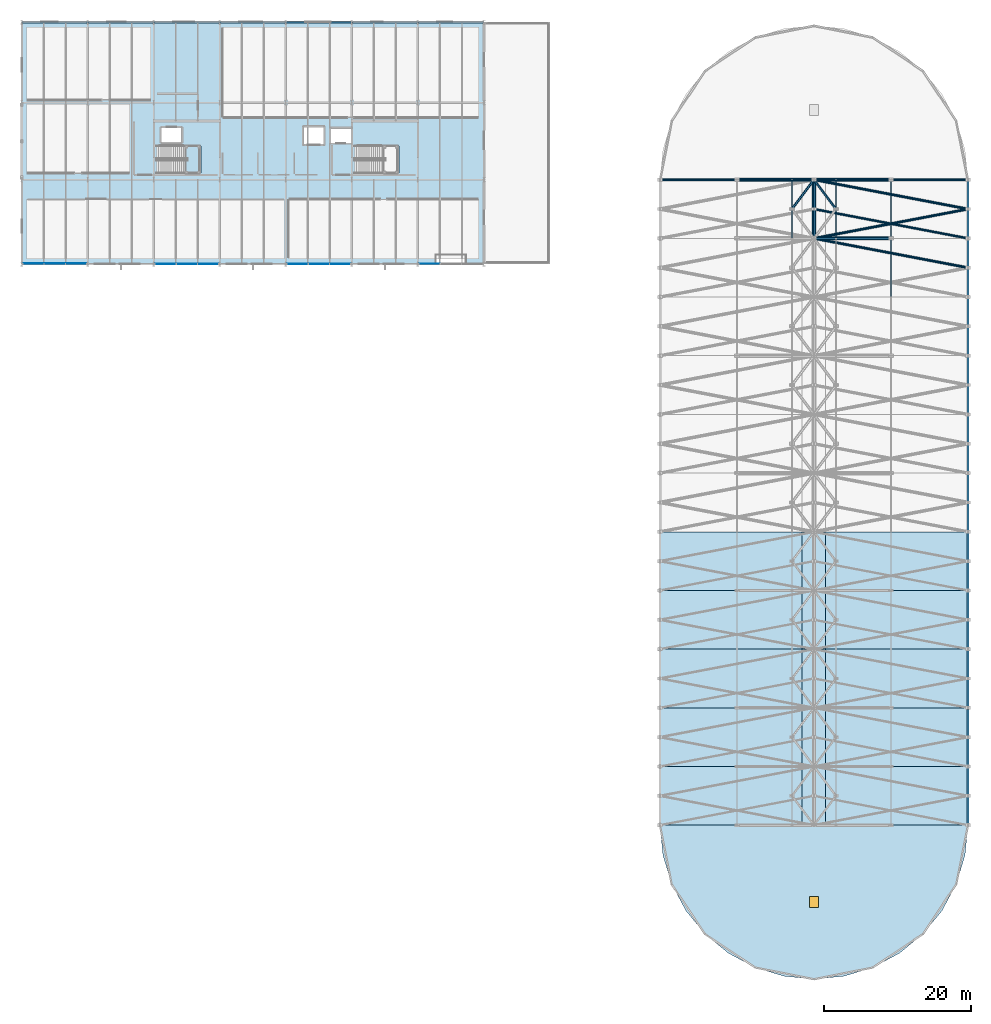
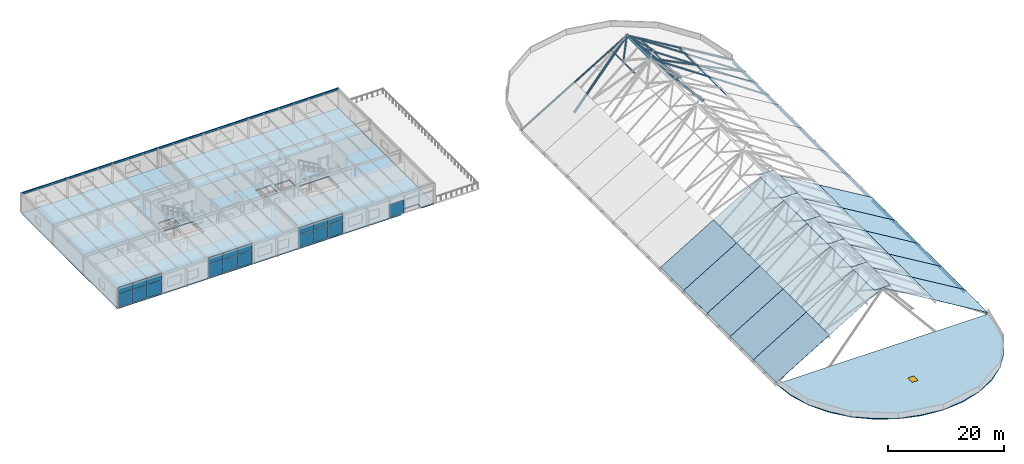
# One storey, part 14 of 44: 44 plates, 18 beams, 16 members, 3 slabs, 1 window, 1 opening, 5 elements without a shape of their own.
"""IFC4 building model written with IfcOpenShell, lengths in metres."""

from ifc_helpers import new_model, si_unit, direction, frame, origin, origin_2d, place, context, subcontext, project, spatial, polyline, rectangle, hollow_rectangle, hollow_circle, outline, extrude, material, layer, layer_set, material_profile, profile_set, type_object, element, fill, aggregate, save


model = new_model("IFC4")

# Units and contexts
model_context = context("Model", 3, precision=1e-05, world=origin(), true_north=direction((0.0, 1.0)))
body_context = subcontext(model_context, "Body", "Model", "MODEL_VIEW")
ifc_project = project(units=[si_unit("LENGTHUNIT", "METRE"), si_unit("AREAUNIT", "SQUARE_METRE"), si_unit("VOLUMEUNIT", "CUBIC_METRE"), si_unit("PLANEANGLEUNIT", "RADIAN"), si_unit("MASSUNIT", "GRAM", prefix="KILO")], contexts=[model_context])

# Site, building, storey
site_placement = place(None, origin())
site = spatial("IfcSite", under=ifc_project, at=site_placement, CompositionType="ELEMENT")
building_placement = place(site_placement, origin())
building = spatial("IfcBuilding", under=site, at=building_placement, Name="Marlcrest Central Station", CompositionType="ELEMENT")
storey_placement = place(building_placement, frame((0.0, 0.0, 19.5)))
storey = spatial("IfcBuildingStorey", under=building, at=storey_placement, Name="L04", CompositionType="ELEMENT", Elevation=19.5)

# Members
ifc_material_1 = material(Name="White intumescent Steel S355", Category="steel")
ifc_material_profile_1 = material_profile(ifc_material_1, hollow_circle(Radius=0.177734375, WallThickness=0.01611328125, at=origin_2d()), Name="CHS 355.6x16")
ifc_profile_set_1 = profile_set([ifc_material_profile_1], Name="White intumescent Steel S355")
member_type_1 = type_object("IfcMemberType", Name="FB-01", PredefinedType="RAFTER", material=ifc_profile_set_1)
for number, where, z_axis, x_axis, name in (
    (1, (108.0, 102.5, 12.60009765625), (0.846277296716, -0.161195675565, -0.507770313471), (0.18711210789, 0.982338566422, 0.0), "mem-FB-01-L04-02527"),
    (2, (108.0, 102.5, 12.60009765625), (0.846277296716, 0.161195675565, -0.507770313471), (-0.18711210789, 0.982338566422, 0.0), "mem-FB-01-L04-02541"),
    (3, (108.0, 110.5, 12.60009765625), (0.846277296716, -0.161195675565, -0.507770313471), (0.18711210789, 0.982338566422, 0.0), "mem-FB-01-L04-02542"),
):
    element("IfcMember", number, at=place(storey_placement, frame(where, z_axis=z_axis, x_axis=x_axis)), inside=storey, type_object=member_type_1, Name=name, PredefinedType="RAFTER", context=body_context, shape_type="SweptSolid", body=[
        extrude(hollow_circle(Radius=0.177734375, WallThickness=0.01611328125, at=origin_2d()), origin(), (0.0, 0.0, 1.0), 24.814453125),
    ])
ifc_material_profile_2 = material_profile(ifc_material_1, hollow_circle(Radius=0.161865234375, WallThickness=0.01611328125, at=origin_2d()), Name="CHS 323.9x16")
ifc_profile_set_2 = profile_set([ifc_material_profile_2], Name="White intumescent Steel S355")
member_type_2 = type_object("IfcMemberType", Name="FB-02", PredefinedType="RAFTER", material=ifc_profile_set_2)
for number, where, z_axis, x_axis, name in (
    (4, (108.0, 110.5, 12.60009765625), (-0.564530690126, -0.752707586834, -0.338727602401), (0.8, -0.6, 0.0), "mem-FB-02-L04-02533"),
    (5, (108.0, 110.5, 12.60009765625), (0.564530690126, -0.752707586834, -0.338727602401), (0.8, 0.6, 0.0), "mem-FB-02-L04-02536"),
):
    element("IfcMember", number, at=place(storey_placement, frame(where, z_axis=z_axis, x_axis=x_axis)), inside=storey, type_object=member_type_2, Name=name, PredefinedType="RAFTER", context=body_context, shape_type="SweptSolid", body=[
        extrude(hollow_circle(Radius=0.161865234375, WallThickness=0.01611328125, at=origin_2d()), origin(), (0.0, 0.0, 1.0), 5.314208984375),
    ])
member_1_placement = place(storey_placement, frame((108.0, 106.5, 12.60009765625), z_axis=(0.846277296716, -0.161195675565, -0.507770313471), x_axis=(0.18711210789, 0.982338566422, 0.0)))
element("IfcMember", 6, at=member_1_placement, inside=storey, type_object=member_type_2, Name="mem-FB-02-L04-02543", PredefinedType="RAFTER", context=body_context, shape_type="SweptSolid", body=[
    extrude(hollow_circle(Radius=0.161865234375, WallThickness=0.01611328125, at=origin_2d()), origin(), (0.0, 0.0, 1.0), 24.814453125),
])
for number, where, z_axis, x_axis, name in (
    (7, (108.0, 110.5, 12.60009765625), (-0.857491166477, 0.0, -0.514498687475), (0.0, -1.0, 0.0), "mem-FB-02-L04-02545"),
    (8, (108.0, 110.5, 12.60009765625), (0.857491166477, 0.0, -0.514498687475), (0.0, 1.0, 0.0), "mem-FB-02-L04-02546"),
):
    element("IfcMember", number, at=place(storey_placement, frame(where, z_axis=z_axis, x_axis=x_axis)), inside=storey, type_object=member_type_2, Name=name, PredefinedType="RAFTER", context=body_context, shape_type="SweptSolid", body=[
        extrude(hollow_circle(Radius=0.161865234375, WallThickness=0.01611328125, at=origin_2d()), origin(), (0.0, 0.0, 1.0), 24.489990234375),
    ])
ifc_material_profile_3 = material_profile(ifc_material_1, hollow_rectangle(XDim=0.179931640625, YDim=0.179931640625, WallThickness=0.010009765625, at=origin_2d()), Name="SHS 180x180x10")
ifc_profile_set_3 = profile_set([ifc_material_profile_3], Name="White intumescent Steel S355")
member_type_3 = type_object("IfcMemberType", Name="PR-03", PredefinedType="PURLIN", material=ifc_profile_set_3)
for number, where, z_axis, x_axis, name in (
    (9, (118.5, 94.5, 6.080078125), (0.0, 1.0, 0.0), (-1.0, 0.0, 0.0), "mem-PR-03-L04-02529"),
    (10, (105.0, 102.5, 10.449951171875), (0.0, 1.0, 0.0), (-1.0, 0.0, 0.0), "mem-PR-03-L04-02531"),
    (11, (111.0, 102.5, 10.449951171875), (0.0, 1.0, 0.0), (-1.0, 0.0, 0.0), "mem-PR-03-L04-02534"),
    (12, (118.5, 102.5, 6.080078125), (0.0, 1.0, 0.0), (-1.0, 0.0, 0.0), "mem-PR-03-L04-02544"),
):
    element("IfcMember", number, at=place(storey_placement, frame(where, z_axis=z_axis, x_axis=x_axis)), inside=storey, type_object=member_type_3, Name=name, PredefinedType="PURLIN", context=body_context, shape_type="SweptSolid", body=[
        extrude(hollow_rectangle(XDim=0.179931640625, YDim=0.179931640625, WallThickness=0.010009765625, at=origin_2d()), origin(), (0.0, 0.0, 1.0), 8.0),
    ])
ifc_material_profile_4 = material_profile(ifc_material_1, hollow_circle(Radius=0.25390625, WallThickness=0.02490234375, at=origin_2d()), Name="CHS 508x25")
ifc_profile_set_4 = profile_set([ifc_material_profile_4], Name="White intumescent Steel S355")
member_type_4 = type_object("IfcMemberType", Name="SC-SP", PredefinedType="CHORD", material=ifc_profile_set_4)
member_2_placement = place(storey_placement, frame((108.0, 102.5, 12.60009765625), z_axis=(0.0, 1.0, 0.0), x_axis=(-1.0, 0.0, 0.0)))
element("IfcMember", 13, at=member_2_placement, inside=storey, type_object=member_type_4, Name="mem-SC-SP-L04-02530", PredefinedType="CHORD", context=body_context, shape_type="SweptSolid", body=[
    extrude(hollow_circle(Radius=0.25390625, WallThickness=0.02490234375, at=origin_2d()), origin(), (0.0, 0.0, 1.0), 8.0),
])

# Beams
ifc_material_2 = material(Name="Steel S355", Category="steel")
ifc_material_profile_5 = material_profile(ifc_material_2, hollow_rectangle(XDim=0.199951171875, YDim=0.39990234375, WallThickness=0.01611328125, at=origin_2d()), Name="RHS 400x200x16")
ifc_profile_set_5 = profile_set([ifc_material_profile_5], Name="Steel S355")
beam_type_1 = type_object("IfcBeamType", Name="SP-01", PredefinedType="SPANDREL", material=ifc_profile_set_5)
for number, where, z_axis, x_axis, name in (
    (14, (0.050048828125, 132.0, 4.074951171875), (1.0, 0.0, 0.0), (0.0, 1.0, 0.0), "bm-SP-01-L04-00596"),
    (15, (9.050048828125, 132.0, 4.074951171875), (1.0, 0.0, 0.0), (0.0, 1.0, 0.0), "bm-SP-01-L04-00597"),
    (16, (18.050048828125, 132.0, 4.074951171875), (1.0, 0.0, 0.0), (0.0, 1.0, 0.0), "bm-SP-01-L04-00598"),
    (17, (27.050048828125, 132.0, 4.074951171875), (1.0, 0.0, 0.0), (0.0, 1.0, 0.0), "bm-SP-01-L04-00599"),
    (18, (36.050048828125, 132.0, 4.074951171875), (1.0, 0.0, 0.0), (0.0, 1.0, 0.0), "bm-SP-01-L04-00600"),
    (19, (45.050048828125, 132.0, 4.074951171875), (1.0, 0.0, 0.0), (0.0, 1.0, 0.0), "bm-SP-01-L04-00601"),
    (20, (54.050048828125, 132.0, 4.074951171875), (1.0, 0.0, 0.0), (0.0, 1.0, 0.0), "bm-SP-01-L04-00602"),
):
    element("IfcBeam", number, at=place(storey_placement, frame(where, z_axis=z_axis, x_axis=x_axis)), inside=storey, type_object=beam_type_1, Name=name, PredefinedType="SPANDREL", context=body_context, shape_type="SweptSolid", body=[
        extrude(hollow_rectangle(XDim=0.199951171875, YDim=0.39990234375, WallThickness=0.01611328125, at=origin_2d()), origin(), (0.0, 0.0, 1.0), 8.89990234375),
    ])
ifc_material_profile_6 = material_profile(ifc_material_2, hollow_rectangle(XDim=0.300048828125, YDim=0.5, WallThickness=0.02001953125, at=origin_2d()), Name="RHS 500x300x20")
ifc_profile_set_6 = profile_set([ifc_material_profile_6], Name="Steel S355")
beam_type_2 = type_object("IfcBeamType", Name="SP-03", PredefinedType="SPANDREL", material=ifc_profile_set_6)
for number, where, z_axis, x_axis, name in (
    (21, (129.0, 22.699951171875, -0.25), (0.0, 1.0, 0.0), (-1.0, 0.0, 0.0), "bm-SP-03-L04-01237"),
    (22, (129.0, 30.699951171875, -0.25), (0.0, 1.0, 0.0), (-1.0, 0.0, 0.0), "bm-SP-03-L04-01252"),
    (23, (129.0, 38.699951171875, -0.25), (0.0, 1.0, 0.0), (-1.0, 0.0, 0.0), "bm-SP-03-L04-01257"),
    (24, (129.0, 46.699951171875, -0.25), (0.0, 1.0, 0.0), (-1.0, 0.0, 0.0), "bm-SP-03-L04-01262"),
    (25, (129.0, 54.699951171875, -0.25), (0.0, 1.0, 0.0), (-1.0, 0.0, 0.0), "bm-SP-03-L04-01266"),
    (26, (129.0, 62.699951171875, -0.25), (0.0, 1.0, 0.0), (-1.0, 0.0, 0.0), "bm-SP-03-L04-01276"),
    (27, (129.0, 70.699951171875, -0.25), (0.0, 1.0, 0.0), (-1.0, 0.0, 0.0), "bm-SP-03-L04-01280"),
    (28, (129.0, 78.699951171875, -0.25), (0.0, 1.0, 0.0), (-1.0, 0.0, 0.0), "bm-SP-03-L04-01290"),
    (29, (129.0, 86.699951171875, -0.25), (0.0, 1.0, 0.0), (-1.0, 0.0, 0.0), "bm-SP-03-L04-01294"),
    (30, (129.0, 94.699951171875, -0.25), (0.0, 1.0, 0.0), (-1.0, 0.0, 0.0), "bm-SP-03-L04-01304"),
    (31, (129.0, 102.699951171875, -0.25), (0.0, 1.0, 0.0), (-1.0, 0.0, 0.0), "bm-SP-03-L04-01314"),
):
    element("IfcBeam", number, at=place(storey_placement, frame(where, z_axis=z_axis, x_axis=x_axis)), inside=storey, type_object=beam_type_2, Name=name, PredefinedType="SPANDREL", context=body_context, shape_type="SweptSolid", body=[
        extrude(hollow_rectangle(XDim=0.300048828125, YDim=0.5, WallThickness=0.02001953125, at=origin_2d()), origin(), (0.0, 0.0, 1.0), 7.60009765625),
    ])

# Members
ifc_material_profile_7 = material_profile(ifc_material_1, hollow_circle(Radius=0.228515625, WallThickness=0.02001953125, at=origin_2d()), Name="CHS 457x20")
ifc_profile_set_7 = profile_set([ifc_material_profile_7], Name="White intumescent Steel S355")
member_type_5 = type_object("IfcMemberType", Name="ST-01", PredefinedType="STRUT", material=ifc_profile_set_7)
for number, where, z_axis, x_axis, name in (
    (32, (118.5, 102.5, 0.0), (-0.640181471429, 0.0, 0.768223719784), (0.0, -1.0, 0.0), "mem-ST-01-L04-02377"),
    (33, (97.5, 110.5, 0.0), (0.640181471429, 0.0, 0.768223719784), (0.0, 1.0, 0.0), "mem-ST-01-L04-02378"),
    (34, (118.5, 110.5, 0.0), (-0.640181471429, 0.0, 0.768223719784), (0.0, -1.0, 0.0), "mem-ST-01-L04-02379"),
):
    element("IfcMember", number, at=place(storey_placement, frame(where, z_axis=z_axis, x_axis=x_axis)), inside=storey, type_object=member_type_5, Name=name, PredefinedType="STRUT", context=body_context, shape_type="SweptSolid", body=[
        extrude(hollow_circle(Radius=0.228515625, WallThickness=0.02001953125, at=origin_2d()), origin(), (0.0, 0.0, 1.0), 16.401611328125),
    ])

# Curtain wall, plates
ifc_material_3 = material(Name="Anodised aluminium and hurricane laminated glass", Category="aluminium")
ifc_layer_1 = layer(ifc_material_3, 0.219970703125, Name="CW-U1")
ifc_layer_set_1 = layer_set([ifc_layer_1], Name="Anodised aluminium and hurricane laminated glass")
curtain_wall_type = type_object("IfcCurtainWallType", Name="CW-U1", PredefinedType="USERDEFINED", material=ifc_layer_set_1)
curtain_wall_1_placement = place(storey_placement, origin())
curtain_wall_1 = element("IfcCurtainWall", 35, at=curtain_wall_1_placement, inside=storey, type_object=curtain_wall_type, Name="cw-L04-0167", ObjectType="UNITISED_CURTAIN_WALL", PredefinedType="USERDEFINED")
ifc_material_4 = material(Name="Acoustic triple-glazed solar-control glass", Category="glass")
ifc_layer_2 = layer(ifc_material_4, 0.0439453125, Name="CP-03")
ifc_layer_set_2 = layer_set([ifc_layer_2], Name="Acoustic triple-glazed solar-control glass")
plate_type_1 = type_object("IfcPlateType", Name="CP-03", PredefinedType="CURTAIN_PANEL", material=ifc_layer_set_2)
plate_1_placement = place(storey_placement, frame((7.39990234375, 99.030029296875, 0.080078125), z_axis=(0.0, 0.0, 1.0), x_axis=(-1.0, 0.0, 0.0)))
plate_1 = element("IfcPlate", 36, at=plate_1_placement, type_object=plate_type_1, Name="cw-L04-0167-cp-lo-0", PredefinedType="CURTAIN_PANEL", context=body_context, shape_type="SweptSolid", body=[
    extrude(rectangle(XDim=2.823974609375, YDim=0.0439453125, at=origin_2d()), origin(), (0.0, 0.0, 1.0), 2.675048828125),
])
plate_2_placement = place(storey_placement, frame((4.5, 99.030029296875, 0.080078125), z_axis=(0.0, 0.0, 1.0), x_axis=(-1.0, 0.0, 0.0)))
plate_2 = element("IfcPlate", 37, at=plate_2_placement, type_object=plate_type_1, Name="cw-L04-0167-cp-lo-1", PredefinedType="CURTAIN_PANEL", context=body_context, shape_type="SweptSolid", body=[
    extrude(rectangle(XDim=2.823974609375, YDim=0.0439453125, at=origin_2d()), origin(), (0.0, 0.0, 1.0), 2.675048828125),
])
plate_3_placement = place(storey_placement, frame((1.60009765625, 99.030029296875, 0.080078125), z_axis=(0.0, 0.0, 1.0), x_axis=(-1.0, 0.0, 0.0)))
plate_3 = element("IfcPlate", 38, at=plate_3_placement, type_object=plate_type_1, Name="cw-L04-0167-cp-lo-2", PredefinedType="CURTAIN_PANEL", context=body_context, shape_type="SweptSolid", body=[
    extrude(rectangle(XDim=2.823974609375, YDim=0.0439453125, at=origin_2d()), origin(), (0.0, 0.0, 1.0), 2.675048828125),
])

curtain_wall_2_placement = place(storey_placement, origin())
curtain_wall_2 = element("IfcCurtainWall", 39, at=curtain_wall_2_placement, inside=storey, type_object=curtain_wall_type, Name="cw-L04-0168", ObjectType="UNITISED_CURTAIN_WALL", PredefinedType="USERDEFINED")
plate_4_placement = place(storey_placement, frame((25.39990234375, 99.030029296875, 0.080078125), z_axis=(0.0, 0.0, 1.0), x_axis=(-1.0, 0.0, 0.0)))
plate_4 = element("IfcPlate", 40, at=plate_4_placement, type_object=plate_type_1, Name="cw-L04-0168-cp-lo-0", PredefinedType="CURTAIN_PANEL", context=body_context, shape_type="SweptSolid", body=[
    extrude(rectangle(XDim=2.823974609375, YDim=0.0439453125, at=origin_2d()), origin(), (0.0, 0.0, 1.0), 2.675048828125),
])
plate_5_placement = place(storey_placement, frame((22.5, 99.030029296875, 0.080078125), z_axis=(0.0, 0.0, 1.0), x_axis=(-1.0, 0.0, 0.0)))
plate_5 = element("IfcPlate", 41, at=plate_5_placement, type_object=plate_type_1, Name="cw-L04-0168-cp-lo-1", PredefinedType="CURTAIN_PANEL", context=body_context, shape_type="SweptSolid", body=[
    extrude(rectangle(XDim=2.823974609375, YDim=0.0439453125, at=origin_2d()), origin(), (0.0, 0.0, 1.0), 2.675048828125),
])
plate_6_placement = place(storey_placement, frame((19.60009765625, 99.030029296875, 0.080078125), z_axis=(0.0, 0.0, 1.0), x_axis=(-1.0, 0.0, 0.0)))
plate_6 = element("IfcPlate", 42, at=plate_6_placement, type_object=plate_type_1, Name="cw-L04-0168-cp-lo-2", PredefinedType="CURTAIN_PANEL", context=body_context, shape_type="SweptSolid", body=[
    extrude(rectangle(XDim=2.823974609375, YDim=0.0439453125, at=origin_2d()), origin(), (0.0, 0.0, 1.0), 2.675048828125),
])

curtain_wall_3_placement = place(storey_placement, origin())
curtain_wall_3 = element("IfcCurtainWall", 43, at=curtain_wall_3_placement, inside=storey, type_object=curtain_wall_type, Name="cw-L04-0169", ObjectType="UNITISED_CURTAIN_WALL", PredefinedType="USERDEFINED")
plate_7_placement = place(storey_placement, frame((43.39990234375, 99.030029296875, 0.080078125), z_axis=(0.0, 0.0, 1.0), x_axis=(-1.0, 0.0, 0.0)))
plate_7 = element("IfcPlate", 44, at=plate_7_placement, type_object=plate_type_1, Name="cw-L04-0169-cp-lo-0", PredefinedType="CURTAIN_PANEL", context=body_context, shape_type="SweptSolid", body=[
    extrude(rectangle(XDim=2.823974609375, YDim=0.0439453125, at=origin_2d()), origin(), (0.0, 0.0, 1.0), 2.675048828125),
])
plate_8_placement = place(storey_placement, frame((40.5, 99.030029296875, 0.080078125), z_axis=(0.0, 0.0, 1.0), x_axis=(-1.0, 0.0, 0.0)))
plate_8 = element("IfcPlate", 45, at=plate_8_placement, type_object=plate_type_1, Name="cw-L04-0169-cp-lo-1", PredefinedType="CURTAIN_PANEL", context=body_context, shape_type="SweptSolid", body=[
    extrude(rectangle(XDim=2.823974609375, YDim=0.0439453125, at=origin_2d()), origin(), (0.0, 0.0, 1.0), 2.675048828125),
])
plate_9_placement = place(storey_placement, frame((37.60009765625, 99.030029296875, 0.080078125), z_axis=(0.0, 0.0, 1.0), x_axis=(-1.0, 0.0, 0.0)))
plate_9 = element("IfcPlate", 46, at=plate_9_placement, type_object=plate_type_1, Name="cw-L04-0169-cp-lo-2", PredefinedType="CURTAIN_PANEL", context=body_context, shape_type="SweptSolid", body=[
    extrude(rectangle(XDim=2.823974609375, YDim=0.0439453125, at=origin_2d()), origin(), (0.0, 0.0, 1.0), 2.675048828125),
])

# Curtain wall, plate
curtain_wall_4_placement = place(storey_placement, origin())
curtain_wall_4 = element("IfcCurtainWall", 47, at=curtain_wall_4_placement, inside=storey, type_object=curtain_wall_type, Name="cw-L04-0170", ObjectType="UNITISED_CURTAIN_WALL", PredefinedType="USERDEFINED")
plate_10_placement = place(storey_placement, frame((55.60009765625, 99.030029296875, 0.080078125), z_axis=(0.0, 0.0, 1.0), x_axis=(-1.0, 0.0, 0.0)))
plate_10 = element("IfcPlate", 48, at=plate_10_placement, type_object=plate_type_1, Name="cw-L04-0170-cp-lo-2", PredefinedType="CURTAIN_PANEL", context=body_context, shape_type="SweptSolid", body=[
    extrude(rectangle(XDim=2.823974609375, YDim=0.0439453125, at=origin_2d()), origin(), (0.0, 0.0, 1.0), 2.675048828125),
])
aggregate(curtain_wall_4, [plate_10])

# Plate
ifc_material_5 = material(Name="Insulated bronze-anodised aluminium spandrel panel", Category="aluminium")
ifc_layer_3 = layer(ifc_material_5, 0.06005859375, Name="CP-04")
ifc_layer_set_3 = layer_set([ifc_layer_3], Name="Insulated bronze-anodised aluminium spandrel panel")
plate_type_2 = type_object("IfcPlateType", Name="CP-04", PredefinedType="CURTAIN_PANEL", material=ifc_layer_set_3)
plate_11_placement = place(storey_placement, frame((25.39990234375, 99.030029296875, 2.8349609375), z_axis=(0.0, 0.0, 1.0), x_axis=(-1.0, 0.0, 0.0)))
plate_11 = element("IfcPlate", 49, at=plate_11_placement, type_object=plate_type_2, Name="cw-L04-0168-cp-hi-0", PredefinedType="CURTAIN_PANEL", context=body_context, shape_type="SweptSolid", body=[
    extrude(rectangle(XDim=2.823974609375, YDim=0.06005859375, at=origin_2d()), origin(), (0.0, 0.0, 1.0), 1.385009765625),
])

plate_12_placement = place(storey_placement, frame((22.5, 99.030029296875, 2.8349609375), z_axis=(0.0, 0.0, 1.0), x_axis=(-1.0, 0.0, 0.0)))
plate_12 = element("IfcPlate", 50, at=plate_12_placement, type_object=plate_type_2, Name="cw-L04-0168-cp-hi-1", PredefinedType="CURTAIN_PANEL", context=body_context, shape_type="SweptSolid", body=[
    extrude(rectangle(XDim=2.823974609375, YDim=0.06005859375, at=origin_2d()), origin(), (0.0, 0.0, 1.0), 1.385009765625),
])

plate_13_placement = place(storey_placement, frame((19.60009765625, 99.030029296875, 2.8349609375), z_axis=(0.0, 0.0, 1.0), x_axis=(-1.0, 0.0, 0.0)))
plate_13 = element("IfcPlate", 51, at=plate_13_placement, type_object=plate_type_2, Name="cw-L04-0168-cp-hi-2", PredefinedType="CURTAIN_PANEL", context=body_context, shape_type="SweptSolid", body=[
    extrude(rectangle(XDim=2.823974609375, YDim=0.06005859375, at=origin_2d()), origin(), (0.0, 0.0, 1.0), 1.385009765625),
])

aggregate(curtain_wall_2, [plate_4, plate_11, plate_5, plate_12, plate_6, plate_13])

ifc_layer_4 = layer(ifc_material_5, 0.050048828125, Name="CP-05")
ifc_layer_set_4 = layer_set([ifc_layer_4], Name="Insulated bronze-anodised aluminium spandrel panel")
plate_type_3 = type_object("IfcPlateType", Name="CP-05", PredefinedType="CURTAIN_PANEL", material=ifc_layer_set_4)
plate_14_placement = place(storey_placement, frame((43.39990234375, 99.030029296875, 2.8349609375), z_axis=(0.0, 0.0, 1.0), x_axis=(-1.0, 0.0, 0.0)))
plate_14 = element("IfcPlate", 52, at=plate_14_placement, type_object=plate_type_3, Name="cw-L04-0169-cp-hi-0", PredefinedType="CURTAIN_PANEL", context=body_context, shape_type="SweptSolid", body=[
    extrude(rectangle(XDim=2.823974609375, YDim=0.050048828125, at=origin_2d()), origin(), (0.0, 0.0, 1.0), 1.385009765625),
])

plate_15_placement = place(storey_placement, frame((40.5, 99.030029296875, 2.8349609375), z_axis=(0.0, 0.0, 1.0), x_axis=(-1.0, 0.0, 0.0)))
plate_15 = element("IfcPlate", 53, at=plate_15_placement, type_object=plate_type_3, Name="cw-L04-0169-cp-hi-1", PredefinedType="CURTAIN_PANEL", context=body_context, shape_type="SweptSolid", body=[
    extrude(rectangle(XDim=2.823974609375, YDim=0.050048828125, at=origin_2d()), origin(), (0.0, 0.0, 1.0), 1.385009765625),
])

plate_16_placement = place(storey_placement, frame((37.60009765625, 99.030029296875, 2.8349609375), z_axis=(0.0, 0.0, 1.0), x_axis=(-1.0, 0.0, 0.0)))
plate_16 = element("IfcPlate", 54, at=plate_16_placement, type_object=plate_type_3, Name="cw-L04-0169-cp-hi-2", PredefinedType="CURTAIN_PANEL", context=body_context, shape_type="SweptSolid", body=[
    extrude(rectangle(XDim=2.823974609375, YDim=0.050048828125, at=origin_2d()), origin(), (0.0, 0.0, 1.0), 1.385009765625),
])

aggregate(curtain_wall_3, [plate_7, plate_14, plate_8, plate_15, plate_9, plate_16])

ifc_material_6 = material(Name="Insulated fire-safing spandrel panel")
ifc_layer_5 = layer(ifc_material_6, 0.1201171875, Name="CP-09")
ifc_layer_set_5 = layer_set([ifc_layer_5], Name="Insulated fire-safing spandrel panel")
plate_type_4 = type_object("IfcPlateType", Name="CP-09", PredefinedType="CURTAIN_PANEL", material=ifc_layer_set_5)
plate_17_placement = place(storey_placement, frame((7.39990234375, 99.030029296875, 2.8349609375), z_axis=(0.0, 0.0, 1.0), x_axis=(-1.0, 0.0, 0.0)))
plate_17 = element("IfcPlate", 55, at=plate_17_placement, type_object=plate_type_4, Name="cw-L04-0167-cp-hi-0", PredefinedType="CURTAIN_PANEL", context=body_context, shape_type="SweptSolid", body=[
    extrude(rectangle(XDim=2.823974609375, YDim=0.1201171875, at=origin_2d()), origin(), (0.0, 0.0, 1.0), 1.385009765625),
])

plate_18_placement = place(storey_placement, frame((4.5, 99.030029296875, 2.8349609375), z_axis=(0.0, 0.0, 1.0), x_axis=(-1.0, 0.0, 0.0)))
plate_18 = element("IfcPlate", 56, at=plate_18_placement, type_object=plate_type_4, Name="cw-L04-0167-cp-hi-1", PredefinedType="CURTAIN_PANEL", context=body_context, shape_type="SweptSolid", body=[
    extrude(rectangle(XDim=2.823974609375, YDim=0.1201171875, at=origin_2d()), origin(), (0.0, 0.0, 1.0), 1.385009765625),
])

plate_19_placement = place(storey_placement, frame((1.60009765625, 99.030029296875, 2.8349609375), z_axis=(0.0, 0.0, 1.0), x_axis=(-1.0, 0.0, 0.0)))
plate_19 = element("IfcPlate", 57, at=plate_19_placement, type_object=plate_type_4, Name="cw-L04-0167-cp-hi-2", PredefinedType="CURTAIN_PANEL", context=body_context, shape_type="SweptSolid", body=[
    extrude(rectangle(XDim=2.823974609375, YDim=0.1201171875, at=origin_2d()), origin(), (0.0, 0.0, 1.0), 1.385009765625),
])

aggregate(curtain_wall_1, [plate_1, plate_17, plate_2, plate_18, plate_3, plate_19])

# Slab
ifc_material_7 = material(Name="Concrete C35/45", Category="concrete")
ifc_layer_6 = layer(ifc_material_7, 0.215087890625, Name="FS-04")
ifc_layer_set_6 = layer_set([ifc_layer_6], Name="Concrete C35/45")
slab_type_1 = type_object("IfcSlabType", Name="FS-04", PredefinedType="FLOOR", material=ifc_layer_set_6)
slab_1_placement = place(storey_placement, frame((0.0, 0.0, -0.215087890625)))
element("IfcSlab", 58, at=slab_1_placement, inside=storey, type_object=slab_type_1, Name="slab-L04-0007", PredefinedType="FLOOR", context=body_context, shape_type="SweptSolid", body=[
    extrude(outline(polyline([(0.0, 99.0), (56.5, 99.0), (56.5, 100.199951171875), (60.5, 100.199951171875), (60.5, 99.0), (63.0, 99.0), (63.0, 132.0), (0.0, 132.0), (0.0, 99.0)]), holes=[polyline([(18.449951171875, 111.39990234375), (24.39990234375, 111.39990234375), (24.39990234375, 115.10009765625), (18.449951171875, 115.10009765625), (18.449951171875, 111.39990234375)]), polyline([(18.919921875, 115.52001953125), (21.8798828125, 115.52001953125), (21.8798828125, 117.679931640625), (18.919921875, 117.679931640625), (18.919921875, 115.52001953125)]), polyline([(45.449951171875, 111.39990234375), (51.39990234375, 111.39990234375), (51.39990234375, 115.10009765625), (45.449951171875, 115.10009765625), (45.449951171875, 111.39990234375)]), polyline([(42.02001953125, 115.419921875), (44.97998046875, 115.419921875), (44.97998046875, 117.580078125), (42.02001953125, 117.580078125), (42.02001953125, 115.419921875)]), polyline([(38.320068359375, 115.219970703125), (41.280029296875, 115.219970703125), (41.280029296875, 117.780029296875), (38.320068359375, 117.780029296875), (38.320068359375, 115.219970703125)])]), origin(), (0.0, 0.0, 1.0), 0.215087890625),
])

# Stair, slab
stair_type = type_object("IfcStairType", Name="ST-HTS", PredefinedType="HALF_TURN_STAIR", material=ifc_material_7)
stair_placement = place(storey_placement, origin())
stair = element("IfcStair", 59, at=stair_placement, inside=storey, type_object=stair_type, Name="ST-W14", PredefinedType="HALF_TURN_STAIR")
ifc_layer_7 = layer(ifc_material_7, 0.320068359375, Name="LS-01")
ifc_layer_set_7 = layer_set([ifc_layer_7], Name="Concrete C35/45")
slab_type_2 = type_object("IfcSlabType", Name="LS-01", PredefinedType="LANDING", material=ifc_layer_set_7)
slab_2_placement = place(storey_placement, frame((0.0, 0.0, 1.929931640625)))
slab_2 = element("IfcSlab", 60, at=slab_2_placement, type_object=slab_type_2, Name="ST-W14-L1", PredefinedType="LANDING", context=body_context, shape_type="SweptSolid", body=[
    extrude(outline(polyline([(22.280029296875, 111.3701171875), (24.280029296875, 111.3701171875), (24.280029296875, 115.1298828125), (22.280029296875, 115.1298828125), (22.280029296875, 113.31005859375), (22.530029296875, 113.31005859375), (22.530029296875, 113.18994140625), (22.280029296875, 113.18994140625), (22.280029296875, 111.3701171875)])), origin(), (0.0, 0.0, 1.0), 0.320068359375),
])
aggregate(stair, [slab_2])

# Plates
ifc_material_8 = material(Name="Hurricane laminated solar-control glass", Category="glass")
ifc_layer_8 = layer(ifc_material_8, 0.035888671875, Name="RGS-01")
ifc_layer_set_8 = layer_set([ifc_layer_8], Name="Hurricane laminated solar-control glass")
plate_type_5 = type_object("IfcPlateType", Name="RGS-01", PredefinedType="SHEET", material=ifc_layer_set_8)
for number, where, z_axis, x_axis, name in (
    (61, (102.75927734375, 26.5, 9.69970703125), (-0.514439533782, 0.0, 0.857526656194), (0.857526656194, 0.0, 0.514439533782), "plt-rgs-01243"),
    (62, (113.24072265625, 26.5, 9.69970703125), (0.514439533782, 0.0, 0.857526656194), (0.857526656194, 0.0, -0.514439533782), "plt-rgs-01247"),
    (63, (102.75927734375, 34.5, 9.69970703125), (-0.514439533782, 0.0, 0.857526656194), (0.857526656194, 0.0, 0.514439533782), "plt-rgs-01255"),
    (64, (113.24072265625, 34.5, 9.69970703125), (0.514439533782, 0.0, 0.857526656194), (0.857526656194, 0.0, -0.514439533782), "plt-rgs-01259"),
    (65, (102.75927734375, 42.5, 9.69970703125), (-0.514439533782, 0.0, 0.857526656194), (0.857526656194, 0.0, 0.514439533782), "plt-rgs-01268"),
    (66, (113.24072265625, 42.5, 9.69970703125), (0.514439533782, 0.0, 0.857526656194), (0.857526656194, 0.0, -0.514439533782), "plt-rgs-01272"),
    (67, (102.75927734375, 50.5, 9.69970703125), (-0.514439533782, 0.0, 0.857526656194), (0.857526656194, 0.0, 0.514439533782), "plt-rgs-01280"),
    (68, (113.24072265625, 50.5, 9.69970703125), (0.514439533782, 0.0, 0.857526656194), (0.857526656194, 0.0, -0.514439533782), "plt-rgs-01284"),
    (69, (102.75927734375, 58.5, 9.69970703125), (-0.514439533782, 0.0, 0.857526656194), (0.857526656194, 0.0, 0.514439533782), "plt-rgs-01293"),
    (70, (113.24072265625, 58.5, 9.69970703125), (0.514439533782, 0.0, 0.857526656194), (0.857526656194, 0.0, -0.514439533782), "plt-rgs-01297"),
):
    element("IfcPlate", number, at=place(storey_placement, frame(where, z_axis=z_axis, x_axis=x_axis)), inside=storey, type_object=plate_type_5, Name=name, PredefinedType="SHEET", context=body_context, shape_type="SweptSolid", body=[
        extrude(rectangle(XDim=12.260009765625, YDim=8.0, at=origin_2d()), origin(), (0.0, 0.0, 1.0), 0.035888671875),
    ])
ifc_layer_9 = layer(ifc_material_8, 0.031982421875, Name="RGS-02")
ifc_layer_set_9 = layer_set([ifc_layer_9], Name="Hurricane laminated solar-control glass")
plate_type_6 = type_object("IfcPlateType", Name="RGS-02", PredefinedType="SHEET", material=ifc_layer_set_9)
for number, where, z_axis, x_axis, name in (
    (71, (92.25830078125, 26.5, 3.4013671875), (-0.514439533782, 0.0, 0.857526656194), (0.857526656194, 0.0, 0.514439533782), "plt-rgs-01244"),
    (72, (123.74169921875, 26.5, 3.4013671875), (0.514439533782, 0.0, 0.857526656194), (0.857526656194, 0.0, -0.514439533782), "plt-rgs-01248"),
    (73, (92.25830078125, 34.5, 3.4013671875), (-0.514439533782, 0.0, 0.857526656194), (0.857526656194, 0.0, 0.514439533782), "plt-rgs-01256"),
    (74, (123.74169921875, 34.5, 3.4013671875), (0.514439533782, 0.0, 0.857526656194), (0.857526656194, 0.0, -0.514439533782), "plt-rgs-01260"),
    (75, (92.25830078125, 42.5, 3.4013671875), (-0.514439533782, 0.0, 0.857526656194), (0.857526656194, 0.0, 0.514439533782), "plt-rgs-01269"),
    (76, (123.74169921875, 42.5, 3.4013671875), (0.514439533782, 0.0, 0.857526656194), (0.857526656194, 0.0, -0.514439533782), "plt-rgs-01273"),
    (77, (92.25830078125, 50.5, 3.4013671875), (-0.514439533782, 0.0, 0.857526656194), (0.857526656194, 0.0, 0.514439533782), "plt-rgs-01281"),
    (78, (123.74169921875, 50.5, 3.4013671875), (0.514439533782, 0.0, 0.857526656194), (0.857526656194, 0.0, -0.514439533782), "plt-rgs-01285"),
    (79, (92.25830078125, 58.5, 3.4013671875), (-0.514439533782, 0.0, 0.857526656194), (0.857526656194, 0.0, 0.514439533782), "plt-rgs-01294"),
    (80, (123.74169921875, 58.5, 3.4013671875), (0.514439533782, 0.0, 0.857526656194), (0.857526656194, 0.0, -0.514439533782), "plt-rgs-01298"),
):
    element("IfcPlate", number, at=place(storey_placement, frame(where, z_axis=z_axis, x_axis=x_axis)), inside=storey, type_object=plate_type_6, Name=name, PredefinedType="SHEET", context=body_context, shape_type="SweptSolid", body=[
        extrude(rectangle(XDim=12.280029296875, YDim=8.0, at=origin_2d()), origin(), (0.0, 0.0, 1.0), 0.031982421875),
    ])
ifc_layer_10 = layer(ifc_material_8, 0.0380859375, Name="RGS-03")
ifc_layer_set_10 = layer_set([ifc_layer_10], Name="Hurricane laminated solar-control glass")
plate_type_7 = type_object("IfcPlateType", Name="RGS-03", PredefinedType="SHEET", material=ifc_layer_set_10)
for number, where, z_axis, x_axis, name in (
    (81, (108.0, 26.5, 12.85400390625), (0.0, 0.0, 1.0), (1.0, 0.0, 0.0), "plt-rgs-01249"),
    (82, (108.0, 34.5, 12.85400390625), (0.0, 0.0, 1.0), (1.0, 0.0, 0.0), "plt-rgs-01261"),
    (83, (108.0, 42.5, 12.85400390625), (0.0, 0.0, 1.0), (1.0, 0.0, 0.0), "plt-rgs-01274"),
    (84, (108.0, 50.5, 12.85400390625), (0.0, 0.0, 1.0), (1.0, 0.0, 0.0), "plt-rgs-01286"),
    (85, (108.0, 58.5, 12.85400390625), (0.0, 0.0, 1.0), (1.0, 0.0, 0.0), "plt-rgs-01299"),
):
    element("IfcPlate", number, at=place(storey_placement, frame(where, z_axis=z_axis, x_axis=x_axis)), inside=storey, type_object=plate_type_7, Name=name, PredefinedType="SHEET", context=body_context, shape_type="SweptSolid", body=[
        extrude(rectangle(XDim=3.199951171875, YDim=8.0, at=origin_2d()), origin(), (0.0, 0.0, 1.0), 0.0380859375),
    ])

# Slab, opening, window
ifc_material_9 = material(Name="Concrete C40/50", Category="concrete")
ifc_layer_11 = layer(ifc_material_9, 0.169921875, Name="RS-03")
ifc_layer_set_11 = layer_set([ifc_layer_11], Name="Concrete C40/50")
slab_type_3 = type_object("IfcSlabType", Name="RS-03", PredefinedType="ROOF", material=ifc_layer_set_11)
slab_3_placement = place(storey_placement, frame((0.0, 0.0, -0.169921875)))
slab_3 = element("IfcSlab", 86, at=slab_3_placement, inside=storey, type_object=slab_type_3, Name="slab-L04-0093", PredefinedType="ROOF", context=body_context, shape_type="SweptSolid", body=[
    extrude(outline(polyline([(87.0, 22.5), (87.404052734375, 18.403076171875), (88.59912109375, 14.464111328125), (90.5390625, 10.8330078125), (93.15087890625, 7.65087890625), (96.3330078125, 5.0390625), (99.964111328125, 3.09912109375), (103.903076171875, 1.904052734375), (108.0, 1.5), (112.096923828125, 1.904052734375), (116.035888671875, 3.09912109375), (119.6669921875, 5.0390625), (122.84912109375, 7.65087890625), (125.4609375, 10.8330078125), (127.40087890625, 14.464111328125), (128.595947265625, 18.403076171875), (129.0, 22.5), (87.0, 22.5)]), holes=[polyline([(107.39990234375, 11.25), (108.60009765625, 11.25), (108.60009765625, 12.75), (107.39990234375, 12.75), (107.39990234375, 11.25)])]), origin(), (0.0, 0.0, 1.0), 0.169921875),
])
opening_placement = place(slab_3_placement, frame((108.0, 12.0, 0.0)))
opening = element("IfcOpeningElement", 87, at=opening_placement, cuts=slab_3, Name="Opening RH-01", PredefinedType="OPENING", context=body_context, shape_type="SweptSolid", body=[
    extrude(rectangle(XDim=1.199951171875, YDim=1.5, at=origin_2d()), origin(), (0.0, 0.0, 1.0), 0.169921875),
])
ifc_material_10 = material(Name="Thermally broken bronze-anodised aluminium and laminated low-E glass", Category="aluminium")
window_type = type_object("IfcWindowType", Name="RH-01", PartitioningType="SINGLE_PANEL", PredefinedType="LIGHTDOME", material=ifc_material_10)
window_placement = place(opening_placement, frame((0.0, 0.0, 0.119873046875)))
window = element("IfcWindow", 88, at=window_placement, inside=storey, type_object=window_type, Name="hatch-v2-1", OverallHeight=1.5, OverallWidth=1.199951171875, PartitioningType="SINGLE_PANEL", PredefinedType="LIGHTDOME", context=body_context, shape_type="SweptSolid", body=[
    extrude(rectangle(XDim=1.199951171875, YDim=1.5, at=origin_2d()), origin(), (0.0, 0.0, 1.0), 0.050048828125),
])
fill(opening, window)

save(model, "model.ifc")
